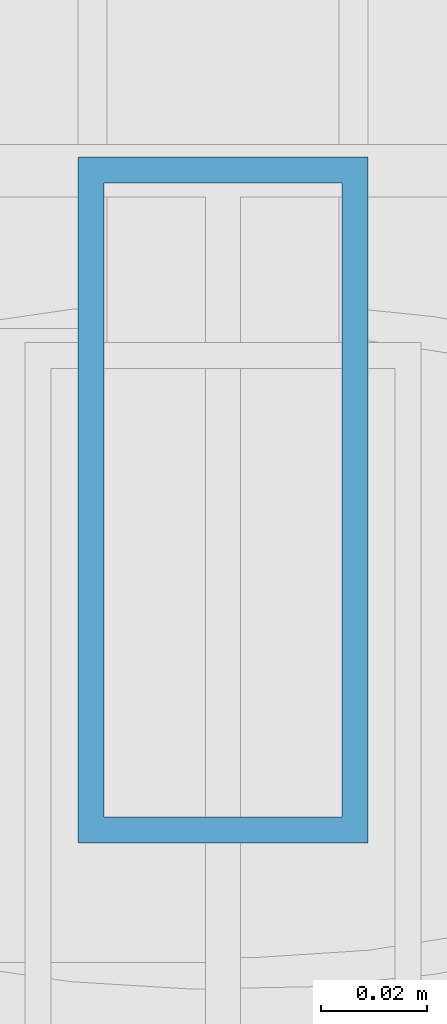
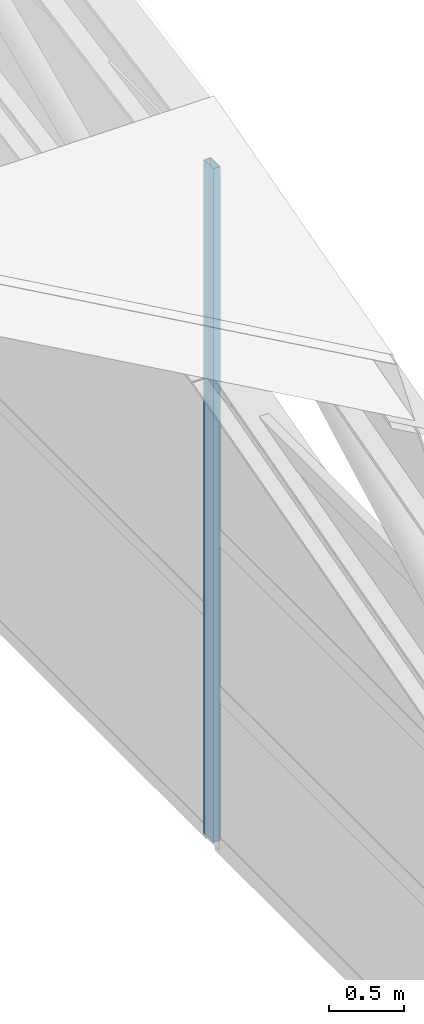
# One storey, part 107 of 204: 1 member, 1 element without a shape of its own.
"""IFC4 building model written with IfcOpenShell, lengths in metres."""

from ifc_helpers import new_model, si_unit, direction, frame, origin, origin_2d, place, context, subcontext, project, spatial, hollow_rectangle, extrude, material, layer, layer_set, material_profile, profile_set, type_object, element, aggregate, save


model = new_model("IFC4")

# Units and contexts
model_context = context("Model", 3, precision=1e-05, world=origin(), true_north=direction((0.0, 1.0)))
body_context = subcontext(model_context, "Body", "Model", "MODEL_VIEW")
ifc_project = project(units=[si_unit("LENGTHUNIT", "METRE"), si_unit("AREAUNIT", "SQUARE_METRE"), si_unit("VOLUMEUNIT", "CUBIC_METRE"), si_unit("PLANEANGLEUNIT", "RADIAN"), si_unit("MASSUNIT", "GRAM", prefix="KILO")], contexts=[model_context])

# Site, building, storey
site_placement = place(None, origin())
site = spatial("IfcSite", under=ifc_project, at=site_placement, CompositionType="ELEMENT")
building_placement = place(site_placement, origin())
building = spatial("IfcBuilding", under=site, at=building_placement, Name="Zilviju Railside Exhibition Hall", CompositionType="ELEMENT")
storey_placement = place(building_placement, frame((0.0, 0.0, 21.0)))
storey = spatial("IfcBuildingStorey", under=building, at=storey_placement, Name="RF", CompositionType="ELEMENT", Elevation=21.0)

# Curtain wall, member
ifc_material_1 = material(Name="Thermally broken aluminium-steel triple-glazed curtain wall", Category="steel")
ifc_layer = layer(ifc_material_1, 0.179931640625)
ifc_layer_set = layer_set([ifc_layer], Name="Thermally broken aluminium-steel triple-glazed curtain wall")
curtain_wall_type = type_object("IfcCurtainWallType", Name="CW-BAY-20", PredefinedType="USERDEFINED", material=ifc_layer_set)
curtain_wall_placement = place(storey_placement, origin())
curtain_wall = element("IfcCurtainWall", 1, at=curtain_wall_placement, inside=storey, type_object=curtain_wall_type, Name="South Hall Arch Tympanum Glazing East P3", ObjectType="GLAZED CURTAIN WALL", PredefinedType="USERDEFINED")
ifc_material_2 = material(Name="Thermally broken anodized aluminium mullion", Category="aluminium")
ifc_material_profile = material_profile(ifc_material_2, hollow_rectangle(XDim=0.054931640625, YDim=0.1298828125, WallThickness=0.0048828125, at=origin_2d()), Name="MULLION 130x55x5")
ifc_profile_set = profile_set([ifc_material_profile], Name="Thermally broken anodized aluminium mullion")
member_type = type_object("IfcMemberType", Name="CWM-55x130", PredefinedType="MULLION", material=ifc_profile_set)
member_placement = place(storey_placement, frame((216.0, 12.027587890625, -7.800048828125), z_axis=(0.0, 0.0, 1.0), x_axis=(1.0, 0.0, 0.0)))
member = element("IfcMember", 2, at=member_placement, type_object=member_type, Name="CW-20 mullion 3", PredefinedType="MULLION", context=body_context, shape_type="SweptSolid", body=[
    extrude(hollow_rectangle(XDim=0.054931640625, YDim=0.1298828125, WallThickness=0.0048828125, at=origin_2d()), origin(), (0.0, 0.0, 1.0), 5.47216796875),
])
aggregate(curtain_wall, [member])

save(model, "model.ifc")
